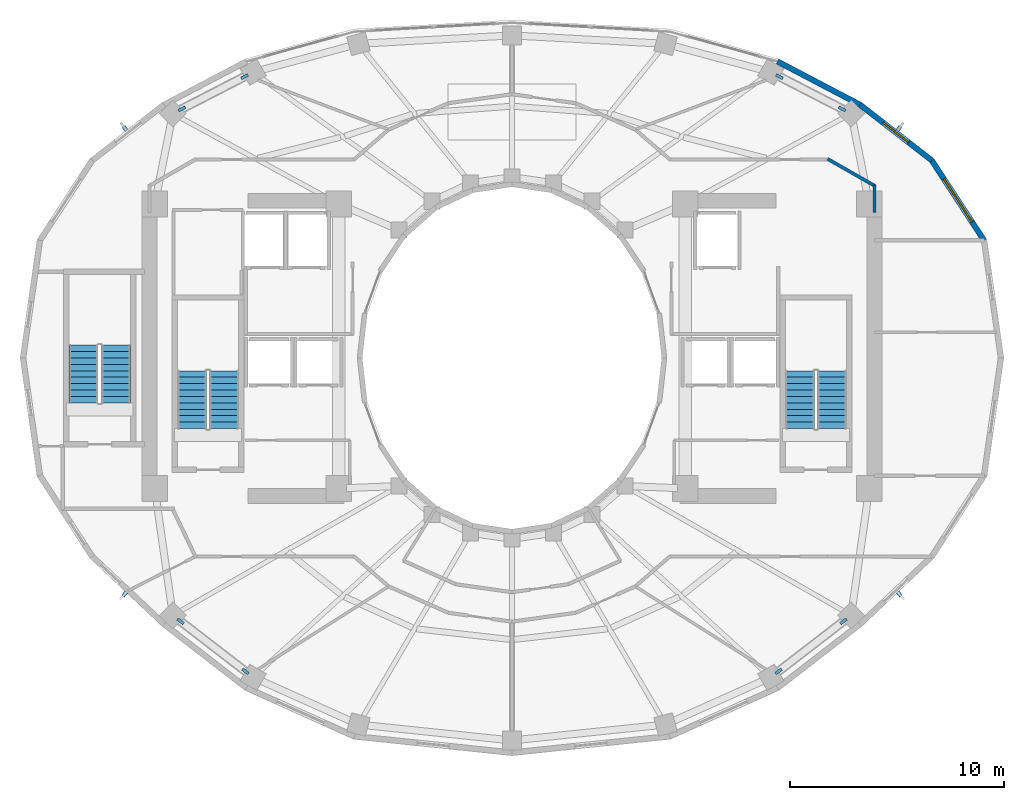
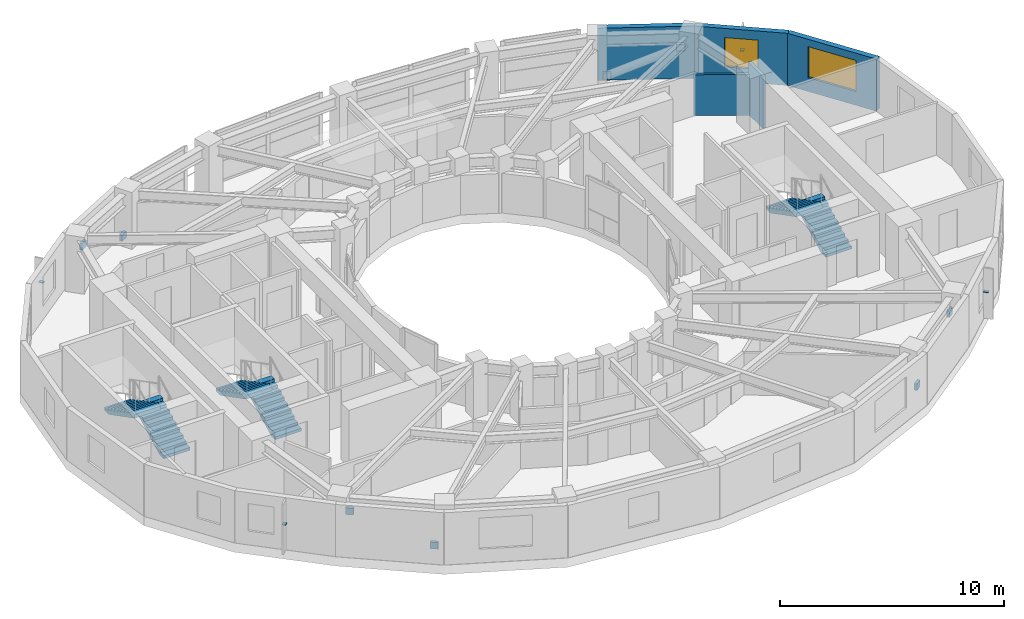
# One storey, part 17 of 20: 12 discrete accessories, 6 stair flights, 5 walls, 2 windows, 2 openings, 3 elements without a shape of their own.
"""IFC4 building model written with IfcOpenShell, lengths in metres."""

from ifc_helpers import new_model, si_unit, direction, frame, frame_2d, origin, origin_2d, place, context, subcontext, project, spatial, polyline, rectangle, outline, extrude, material, layer, layer_set, type_object, element, fill, aggregate, save


model = new_model("IFC4")

# Units and contexts
model_context = context("Model", 3, precision=1e-05, world=origin(), true_north=direction((0.0, 1.0)))
body_context = subcontext(model_context, "Body", "Model", "MODEL_VIEW")
ifc_project = project(units=[si_unit("LENGTHUNIT", "METRE"), si_unit("AREAUNIT", "SQUARE_METRE"), si_unit("VOLUMEUNIT", "CUBIC_METRE"), si_unit("PLANEANGLEUNIT", "RADIAN"), si_unit("MASSUNIT", "GRAM", prefix="KILO")], contexts=[model_context])

# Site, building, storey
site_placement = place(None, origin())
site = spatial("IfcSite", under=ifc_project, at=site_placement, CompositionType="ELEMENT")
building_placement = place(site_placement, origin())
building = spatial("IfcBuilding", under=site, at=building_placement, Name="Solvane Sanctuary Tower", CompositionType="ELEMENT")
storey_placement = place(building_placement, frame((0.0, 0.0, 137.39990234375)))
storey = spatial("IfcBuildingStorey", under=building, at=storey_placement, Name="L41", CompositionType="ELEMENT", Elevation=137.39990234375)

# Walls
ifc_material_1 = material(Name="Acoustic Gypsum Partition Board")
ifc_layer_1 = layer(ifc_material_1, 0.14990234375, Name="Acoustic Gypsum Partition Board")
ifc_layer_set_1 = layer_set([ifc_layer_1], Name="Acoustic Gypsum Partition Board")
wall_type_1 = type_object("IfcWallType", Name="Wall W-CORR-150", PredefinedType="PARTITIONING", material=ifc_layer_set_1)
wall_1_placement = place(storey_placement, frame((48.949951171875, 29.800048828125, 0.0), z_axis=(0.0, 0.0, 1.0), x_axis=(0.0, 1.0, 0.0)))
element("IfcWall", 1, at=wall_1_placement, inside=storey, type_object=wall_type_1, Name="L41 NE Corner Closer 1", PredefinedType="PARTITIONING", context=body_context, shape_type="SweptSolid", body=[
    extrude(rectangle(XDim=1.2900390625, YDim=0.14990234375, at=frame_2d((0.64501953125, 0.0))), origin(), (0.0, 0.0, 1.0), 2.85498046875),
])
wall_2_placement = place(storey_placement, frame((46.756591796875, 32.3046875, 0.0), z_axis=(0.0, 0.0, 1.0), x_axis=(0.867991349648, -0.496579315857, 0.0)))
element("IfcWall", 2, at=wall_2_placement, inside=storey, type_object=wall_type_1, Name="L41 NE Corner Wing Wall", PredefinedType="PARTITIONING", context=body_context, shape_type="SweptSolid", body=[
    extrude(rectangle(XDim=2.56689453125, YDim=0.14990234375, at=frame_2d((1.283447265625, 0.0))), origin(), (0.0, 0.0, 1.0), 2.22021484375),
])

# Wall, opening, window
ifc_material_2 = material(Name="Precast concrete C40/50", Category="concrete")
ifc_layer_2 = layer(ifc_material_2, 0.260009765625, Name="Precast concrete C40/50")
ifc_layer_set_2 = layer_set([ifc_layer_2], Name="Precast concrete C40/50")
wall_type_2 = type_object("IfcWallType", Name="Wall W-EXT-250", PredefinedType="STANDARD", material=ifc_layer_set_2)
wall_3_placement = place(storey_placement, frame((54.0703125, 28.49658203125, 0.0), z_axis=(0.0, 0.0, 1.0), x_axis=(-0.547456494366, 0.836834145322, 0.0)))
wall_3 = element("IfcWall", 3, at=wall_3_placement, inside=storey, type_object=wall_type_2, Name="L41 Ceramic-Printed Facade Wall 01", PredefinedType="STANDARD", context=body_context, shape_type="SweptSolid", body=[
    extrude(rectangle(XDim=4.477294921875, YDim=0.260009765625, at=frame_2d((2.23876953125, 0.0))), origin(), (0.0, 0.0, 1.0), 2.85009765625),
])
opening_1_placement = place(wall_3_placement, frame((1.038818359375, 0.0, 0.75)))
opening_1 = element("IfcOpeningElement", 4, at=opening_1_placement, cuts=wall_3, Name="Opening WN-RIB-2400", PredefinedType="OPENING", context=body_context, shape_type="SweptSolid", body=[
    extrude(rectangle(XDim=2.39990234375, YDim=1.699951171875, at=frame_2d((1.199951171875, 0.85009765625))), frame((0.0, 0.139892578125, 0.0), z_axis=(0.0, -1.0, 0.0), x_axis=(1.0, 0.0, 0.0)), (0.0, 0.0, 1.0), 0.280029296875),
])
ifc_material_3 = material(Name="Dark Ceramic-Fritted Low-E Glass", Category="glass")
window_type_1 = type_object("IfcWindowType", Name="Window WN-RIB-2400", PartitioningType="SINGLE_PANEL", PredefinedType="WINDOW", material=ifc_material_3)
window_1_placement = place(opening_1_placement, origin())
window_1 = element("IfcWindow", 5, at=window_1_placement, inside=storey, type_object=window_type_1, Name="L41 Operable Facade Window 01", OverallHeight=1.699951171875, OverallWidth=2.39990234375, PartitioningType="SINGLE_PANEL", PredefinedType="WINDOW", context=body_context, shape_type="SweptSolid", body=[
    extrude(rectangle(XDim=2.39990234375, YDim=1.699951171875, at=frame_2d((1.199951171875, 0.85009765625))), frame((0.0, 0.030029296875, 0.0), z_axis=(0.0, -1.0, 0.0), x_axis=(1.0, 0.0, 0.0)), (0.0, 0.0, 1.0), 0.06005859375),
])
fill(opening_1, window_1)

wall_4_placement = place(storey_placement, frame((51.619140625, 32.243408203125, 0.0), z_axis=(0.0, 0.0, 1.0), x_axis=(-0.790185650662, 0.612867552973, 0.0)))
wall_4 = element("IfcWall", 6, at=wall_4_placement, inside=storey, type_object=wall_type_2, Name="L41 Ceramic-Printed Facade Wall 02", PredefinedType="STANDARD", context=body_context, shape_type="SweptSolid", body=[
    extrude(rectangle(XDim=4.2392578125, YDim=0.260009765625, at=frame_2d((2.11962890625, 0.0))), origin(), (0.0, 0.0, 1.0), 2.85009765625),
])
opening_2_placement = place(wall_4_placement, frame((1.36962890625, 0.0, 0.75)))
opening_2 = element("IfcOpeningElement", 7, at=opening_2_placement, cuts=wall_4, Name="Opening WN-OPER-1500", PredefinedType="OPENING", context=body_context, shape_type="SweptSolid", body=[
    extrude(rectangle(XDim=1.5, YDim=1.60009765625, at=frame_2d((0.75, 0.800048828125))), frame((0.0, 0.139892578125, 0.0), z_axis=(0.0, -1.0, 0.0), x_axis=(1.0, 0.0, 0.0)), (0.0, 0.0, 1.0), 0.280029296875),
])
window_type_2 = type_object("IfcWindowType", Name="Window WN-OPER-1500", PartitioningType="SINGLE_PANEL", PredefinedType="WINDOW", material=ifc_material_3)
window_2_placement = place(opening_2_placement, origin())
window_2 = element("IfcWindow", 8, at=window_2_placement, inside=storey, type_object=window_type_2, Name="L41 Operable Facade Window 02", OverallHeight=1.60009765625, OverallWidth=1.5, PartitioningType="SINGLE_PANEL", PredefinedType="WINDOW", context=body_context, shape_type="SweptSolid", body=[
    extrude(rectangle(XDim=1.5, YDim=1.60009765625, at=frame_2d((0.75, 0.800048828125))), frame((0.0, 0.030029296875, 0.0), z_axis=(0.0, -1.0, 0.0), x_axis=(1.0, 0.0, 0.0)), (0.0, 0.0, 1.0), 0.06005859375),
])
fill(opening_2, window_2)

# Wall
wall_5_placement = place(storey_placement, frame((48.269287109375, 34.841552734375, 0.0), z_axis=(0.0, 0.0, 1.0), x_axis=(-0.885660265226, 0.464333818065, 0.0)))
element("IfcWall", 9, at=wall_5_placement, inside=storey, type_object=wall_type_2, Name="L41 Ceramic-Printed Facade Wall 03", PredefinedType="STANDARD", context=body_context, shape_type="SweptSolid", body=[
    extrude(rectangle(XDim=4.35400390625, YDim=0.260009765625, at=frame_2d((2.177001953125, 0.0))), origin(), (0.0, 0.0, 1.0), 2.85009765625),
])

# Stair, stair flights
ifc_material_4 = material(Name="Concrete C45/55", Category="concrete")
stair_type = type_object("IfcStairType", Name="Stair ST-TOW", PredefinedType="HALF_TURN_STAIR", material=ifc_material_4)
stair_1_placement = place(storey_placement, origin())
stair_1 = element("IfcStair", 10, at=stair_1_placement, inside=storey, type_object=stair_type, Name="L41 Exit Stair ST-1 West Core", PredefinedType="HALF_TURN_STAIR")
stair_flight_type = type_object("IfcStairFlightType", Name="StairFlight SF-TOW", PredefinedType="STRAIGHT", material=ifc_material_4)
stair_flight_1_placement = place(storey_placement, frame((18.544921875, 19.699951171875, 0.0), z_axis=(0.0, 0.0, 1.0), x_axis=(0.0, 1.0, 0.0)))
stair_flight_1 = element("IfcStairFlight", 11, at=stair_flight_1_placement, type_object=stair_flight_type, Name="ST-1 flight 1", NumberOfRisers=10, NumberOfTreads=9, PredefinedType="STRAIGHT", RiserHeight=0.155, TreadLength=0.3, context=body_context, shape_type="SweptSolid", body=[
    extrude(outline(polyline([(0.0, 0.0), (0.0, 0.155029296875), (0.300048828125, 0.155029296875), (0.300048828125, 0.31005859375), (0.60009765625, 0.31005859375), (0.60009765625, 0.465087890625), (0.89990234375, 0.465087890625), (0.89990234375, 0.6201171875), (1.199951171875, 0.6201171875), (1.199951171875, 0.77490234375), (1.5, 0.77490234375), (1.5, 0.929931640625), (1.800048828125, 0.929931640625), (1.800048828125, 1.0849609375), (2.10009765625, 1.0849609375), (2.10009765625, 1.239990234375), (2.39990234375, 1.239990234375), (2.39990234375, 1.39501953125), (2.699951171875, 1.39501953125), (2.699951171875, 1.550048828125), (2.699951171875, 1.1923828125), (0.39208984375, 0.0), (0.0, 0.0)])), frame((0.0, 0.675048828125, 0.0), z_axis=(0.0, -1.0, 0.0), x_axis=(1.0, 0.0, 0.0)), (0.0, 0.0, 1.0), 1.35009765625),
])
stair_flight_2_placement = place(storey_placement, frame((17.034912109375, 22.39990234375, 1.550048828125), z_axis=(0.0, 0.0, 1.0), x_axis=(0.0, -1.0, 0.0)))
stair_flight_2 = element("IfcStairFlight", 12, at=stair_flight_2_placement, type_object=stair_flight_type, Name="ST-1 flight 2", NumberOfRisers=10, NumberOfTreads=9, PredefinedType="STRAIGHT", RiserHeight=0.155, TreadLength=0.3, context=body_context, shape_type="SweptSolid", body=[
    extrude(outline(polyline([(0.0, 0.0), (0.0, 0.155029296875), (0.300048828125, 0.155029296875), (0.300048828125, 0.31005859375), (0.60009765625, 0.31005859375), (0.60009765625, 0.465087890625), (0.89990234375, 0.465087890625), (0.89990234375, 0.6201171875), (1.199951171875, 0.6201171875), (1.199951171875, 0.77490234375), (1.5, 0.77490234375), (1.5, 0.929931640625), (1.800048828125, 0.929931640625), (1.800048828125, 1.0849609375), (2.10009765625, 1.0849609375), (2.10009765625, 1.239990234375), (2.39990234375, 1.239990234375), (2.39990234375, 1.39501953125), (2.699951171875, 1.39501953125), (2.699951171875, 1.550048828125), (2.699951171875, 1.1923828125), (0.39208984375, 0.0), (0.0, 0.0)])), frame((0.0, 0.675048828125, 0.0), z_axis=(0.0, -1.0, 0.0), x_axis=(1.0, 0.0, 0.0)), (0.0, 0.0, 1.0), 1.35009765625),
])
aggregate(stair_1, [stair_flight_1, stair_flight_2])

stair_2_placement = place(storey_placement, origin())
stair_2 = element("IfcStair", 13, at=stair_2_placement, inside=storey, type_object=stair_type, Name="L41 Exit Stair ST-2 East Core", PredefinedType="HALF_TURN_STAIR")
stair_flight_3_placement = place(storey_placement, frame((46.965087890625, 19.699951171875, 0.0), z_axis=(0.0, 0.0, 1.0), x_axis=(0.0, 1.0, 0.0)))
stair_flight_3 = element("IfcStairFlight", 14, at=stair_flight_3_placement, type_object=stair_flight_type, Name="ST-2 flight 1", NumberOfRisers=10, NumberOfTreads=9, PredefinedType="STRAIGHT", RiserHeight=0.155, TreadLength=0.3, context=body_context, shape_type="SweptSolid", body=[
    extrude(outline(polyline([(0.0, 0.0), (0.0, 0.155029296875), (0.300048828125, 0.155029296875), (0.300048828125, 0.31005859375), (0.60009765625, 0.31005859375), (0.60009765625, 0.465087890625), (0.89990234375, 0.465087890625), (0.89990234375, 0.6201171875), (1.199951171875, 0.6201171875), (1.199951171875, 0.77490234375), (1.5, 0.77490234375), (1.5, 0.929931640625), (1.800048828125, 0.929931640625), (1.800048828125, 1.0849609375), (2.10009765625, 1.0849609375), (2.10009765625, 1.239990234375), (2.39990234375, 1.239990234375), (2.39990234375, 1.39501953125), (2.699951171875, 1.39501953125), (2.699951171875, 1.550048828125), (2.699951171875, 1.1923828125), (0.39208984375, 0.0), (0.0, 0.0)])), frame((0.0, 0.675048828125, 0.0), z_axis=(0.0, -1.0, 0.0), x_axis=(1.0, 0.0, 0.0)), (0.0, 0.0, 1.0), 1.35009765625),
])
stair_flight_4_placement = place(storey_placement, frame((45.455078125, 22.39990234375, 1.550048828125), z_axis=(0.0, 0.0, 1.0), x_axis=(0.0, -1.0, 0.0)))
stair_flight_4 = element("IfcStairFlight", 15, at=stair_flight_4_placement, type_object=stair_flight_type, Name="ST-2 flight 2", NumberOfRisers=10, NumberOfTreads=9, PredefinedType="STRAIGHT", RiserHeight=0.155, TreadLength=0.3, context=body_context, shape_type="SweptSolid", body=[
    extrude(outline(polyline([(0.0, 0.0), (0.0, 0.155029296875), (0.300048828125, 0.155029296875), (0.300048828125, 0.31005859375), (0.60009765625, 0.31005859375), (0.60009765625, 0.465087890625), (0.89990234375, 0.465087890625), (0.89990234375, 0.6201171875), (1.199951171875, 0.6201171875), (1.199951171875, 0.77490234375), (1.5, 0.77490234375), (1.5, 0.929931640625), (1.800048828125, 0.929931640625), (1.800048828125, 1.0849609375), (2.10009765625, 1.0849609375), (2.10009765625, 1.239990234375), (2.39990234375, 1.239990234375), (2.39990234375, 1.39501953125), (2.699951171875, 1.39501953125), (2.699951171875, 1.550048828125), (2.699951171875, 1.1923828125), (0.39208984375, 0.0), (0.0, 0.0)])), frame((0.0, 0.675048828125, 0.0), z_axis=(0.0, -1.0, 0.0), x_axis=(1.0, 0.0, 0.0)), (0.0, 0.0, 1.0), 1.35009765625),
])
aggregate(stair_2, [stair_flight_3, stair_flight_4])

stair_3_placement = place(storey_placement, origin())
stair_3 = element("IfcStair", 16, at=stair_3_placement, inside=storey, type_object=stair_type, Name="L41 Exit Stair ST-3 Pilgrim Tower Stair", PredefinedType="HALF_TURN_STAIR")
stair_flight_5_placement = place(storey_placement, frame((13.485107421875, 20.89990234375, 0.0), z_axis=(0.0, 0.0, 1.0), x_axis=(0.0, 1.0, 0.0)))
stair_flight_5 = element("IfcStairFlight", 17, at=stair_flight_5_placement, type_object=stair_flight_type, Name="ST-3 flight 1", NumberOfRisers=10, NumberOfTreads=9, PredefinedType="STRAIGHT", RiserHeight=0.155, TreadLength=0.3, context=body_context, shape_type="SweptSolid", body=[
    extrude(outline(polyline([(0.0, 0.0), (0.0, 0.155029296875), (0.300048828125, 0.155029296875), (0.300048828125, 0.31005859375), (0.60009765625, 0.31005859375), (0.60009765625, 0.465087890625), (0.89990234375, 0.465087890625), (0.89990234375, 0.6201171875), (1.199951171875, 0.6201171875), (1.199951171875, 0.77490234375), (1.5, 0.77490234375), (1.5, 0.929931640625), (1.800048828125, 0.929931640625), (1.800048828125, 1.0849609375), (2.10009765625, 1.0849609375), (2.10009765625, 1.239990234375), (2.39990234375, 1.239990234375), (2.39990234375, 1.39501953125), (2.699951171875, 1.39501953125), (2.699951171875, 1.550048828125), (2.699951171875, 1.1923828125), (0.39208984375, 0.0), (0.0, 0.0)])), frame((0.0, 0.675048828125, 0.0), z_axis=(0.0, -1.0, 0.0), x_axis=(1.0, 0.0, 0.0)), (0.0, 0.0, 1.0), 1.35009765625),
])
stair_flight_6_placement = place(storey_placement, frame((11.97509765625, 23.60009765625, 1.550048828125), z_axis=(0.0, 0.0, 1.0), x_axis=(0.0, -1.0, 0.0)))
stair_flight_6 = element("IfcStairFlight", 18, at=stair_flight_6_placement, type_object=stair_flight_type, Name="ST-3 flight 2", NumberOfRisers=10, NumberOfTreads=9, PredefinedType="STRAIGHT", RiserHeight=0.155, TreadLength=0.3, context=body_context, shape_type="SweptSolid", body=[
    extrude(outline(polyline([(0.0, 0.0), (0.0, 0.155029296875), (0.300048828125, 0.155029296875), (0.300048828125, 0.31005859375), (0.60009765625, 0.31005859375), (0.60009765625, 0.465087890625), (0.89990234375, 0.465087890625), (0.89990234375, 0.6201171875), (1.199951171875, 0.6201171875), (1.199951171875, 0.77490234375), (1.5, 0.77490234375), (1.5, 0.929931640625), (1.800048828125, 0.929931640625), (1.800048828125, 1.0849609375), (2.10009765625, 1.0849609375), (2.10009765625, 1.239990234375), (2.39990234375, 1.239990234375), (2.39990234375, 1.39501953125), (2.699951171875, 1.39501953125), (2.699951171875, 1.550048828125), (2.699951171875, 1.1923828125), (0.39208984375, 0.0), (0.0, 0.0)])), frame((0.0, 0.675048828125, 0.0), z_axis=(0.0, -1.0, 0.0), x_axis=(1.0, 0.0, 0.0)), (0.0, 0.0, 1.0), 1.35009765625),
])
aggregate(stair_3, [stair_flight_5, stair_flight_6])

# Discrete accessories
ifc_material_5 = material(Name="Steel ASTM A572 Grade 50", Category="steel")
ifc_layer_3 = layer(ifc_material_5, 0.360107421875, Name="Steel ASTM A572 Grade 50")
ifc_layer_set_3 = layer_set([ifc_layer_3], Name="Steel ASTM A572 Grade 50")
discrete_accessory_type_1 = type_object("IfcDiscreteAccessoryType", Name="Accessory ACC-GUSSET-BRK", PredefinedType="BRACKET", material=ifc_layer_set_3)
for number, where, z_axis, x_axis, name in (
    (19, (44.502685546875, 36.151123046875, 0.4013671875), (0.0, 0.0, 1.0), (0.889256761832, -0.457408364087, 0.0), "L41 Perimeter Braced-Tube Diagonal NE End Gusset Bracket A"),
    (20, (47.432373046875, 34.64453125, 1.85888671875), (0.0, 0.0, 1.0), (0.889256761832, -0.457408364087, 0.0), "L41 Perimeter Braced-Tube Diagonal NE End Gusset Bracket B"),
    (21, (19.497314453125, 36.151123046875, 0.4013671875), (0.0, 0.0, 1.0), (-0.889256761832, -0.457408364087, 0.0), "L41 Perimeter Braced-Tube Diagonal NW End Gusset Bracket A"),
    (22, (16.567626953125, 34.64453125, 1.85888671875), (0.0, 0.0, 1.0), (-0.889256761832, -0.457408364087, 0.0), "L41 Perimeter Braced-Tube Diagonal NW End Gusset Bracket B"),
    (23, (19.53857421875, 8.35205078125, 0.380859375), (0.0, 0.0, 1.0), (-0.79207661425, 0.610421687982, 0.0), "L41 Perimeter Braced-Tube Diagonal SW End Gusset Bracket A"),
    (24, (16.506591796875, 10.68896484375, 1.88916015625), (0.0, 0.0, 1.0), (-0.79207661425, 0.610421687982, 0.0), "L41 Perimeter Braced-Tube Diagonal SW End Gusset Bracket B"),
    (25, (44.46142578125, 8.35205078125, 0.380859375), (0.0, 0.0, 1.0), (0.79207661425, 0.610421687982, 0.0), "L41 Perimeter Braced-Tube Diagonal SE End Gusset Bracket A"),
    (26, (47.493408203125, 10.68896484375, 1.88916015625), (0.0, 0.0, 1.0), (0.79207661425, 0.610421687982, 0.0), "L41 Perimeter Braced-Tube Diagonal SE End Gusset Bracket B"),
):
    element("IfcDiscreteAccessory", number, at=place(storey_placement, frame(where, z_axis=z_axis, x_axis=x_axis)), inside=storey, type_object=discrete_accessory_type_1, Name=name, PredefinedType="BRACKET", context=body_context, shape_type="SweptSolid", body=[
        extrude(rectangle(XDim=0.360107421875, YDim=0.139892578125, at=origin_2d()), origin(), (0.0, 0.0, 1.0), 0.360107421875),
    ])
ifc_material_6 = material(Name="Steel ASTM A500 Grade C", Category="steel")
ifc_layer_4 = layer(ifc_material_6, 0.02490234375, Name="Steel ASTM A500 Grade C")
ifc_layer_set_4 = layer_set([ifc_layer_4], Name="Steel ASTM A500 Grade C")
discrete_accessory_type_2 = type_object("IfcDiscreteAccessoryType", Name="Accessory BRK-FACADE", PredefinedType="BRACKET", material=ifc_layer_set_4)
for number, where, z_axis, x_axis, name in (
    (27, (50.09130859375, 33.732177734375, 1.487548828125), (0.0, 0.0, 1.0), (-0.790165709501, 0.612893262753, 0.0), "L41 Solar Fin Bracket 02"),
    (28, (13.90869140625, 33.732177734375, 1.487548828125), (0.0, 0.0, 1.0), (-0.790165709501, -0.612893262753, 0.0), "L41 Solar Fin Bracket 09"),
    (29, (13.89111328125, 11.962890625, 1.487548828125), (0.0, 0.0, 1.0), (0.727663823405, -0.685933932757, 0.0), "L41 Solar Fin Bracket 14"),
    (30, (50.10888671875, 11.962890625, 1.487548828125), (0.0, 0.0, 1.0), (0.727663823405, 0.685933932757, 0.0), "L41 Solar Fin Bracket 21"),
):
    element("IfcDiscreteAccessory", number, at=place(storey_placement, frame(where, z_axis=z_axis, x_axis=x_axis)), inside=storey, type_object=discrete_accessory_type_2, Name=name, PredefinedType="BRACKET", context=body_context, shape_type="SweptSolid", body=[
        extrude(rectangle(XDim=0.179931640625, YDim=0.239990234375, at=origin_2d()), origin(), (0.0, 0.0, 1.0), 0.02490234375),
    ])

save(model, "model.ifc")
